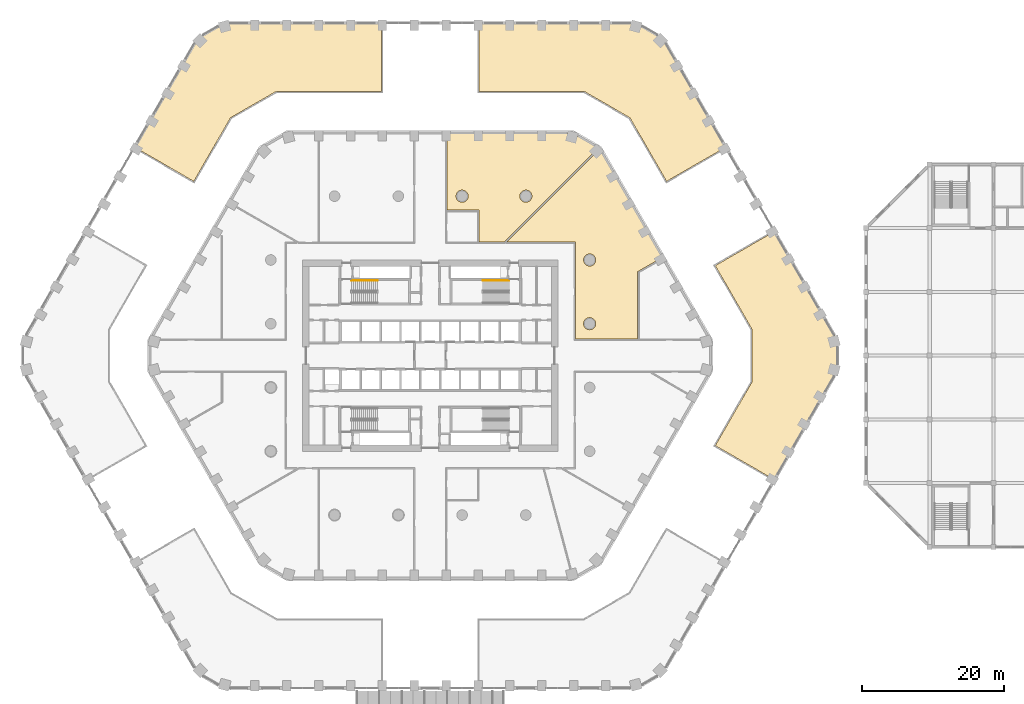
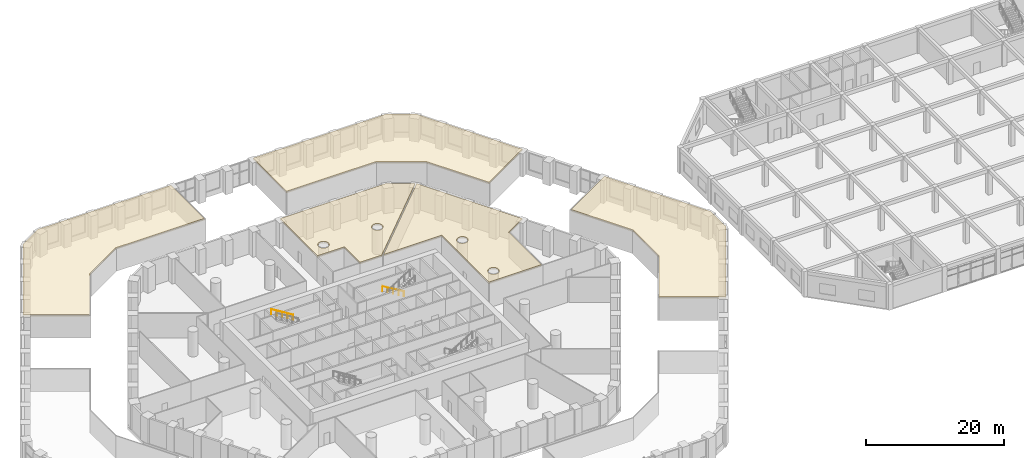
# One storey, part 36 of 42: 5 coverings, 2 railings.
"""IFC4 building model written with IfcOpenShell, lengths in metres."""

from ifc_helpers import new_model, si_unit, direction, frame, origin, origin_2d, place, context, subcontext, project, spatial, polyline, circle, outline, extrude, material, layer, layer_set, type_object, element, save


model = new_model("IFC4")

# Units and contexts
model_context = context("Model", 3, precision=1e-05, world=origin(), true_north=direction((0.0, 1.0)))
body_context = subcontext(model_context, "Body", "Model", "MODEL_VIEW")
ifc_project = project(units=[si_unit("LENGTHUNIT", "METRE"), si_unit("AREAUNIT", "SQUARE_METRE"), si_unit("VOLUMEUNIT", "CUBIC_METRE"), si_unit("PLANEANGLEUNIT", "RADIAN"), si_unit("MASSUNIT", "GRAM", prefix="KILO")], contexts=[model_context])

# Site, building, storey
site_placement = place(None, origin())
site = spatial("IfcSite", under=ifc_project, at=site_placement, CompositionType="ELEMENT")
building_placement = place(site_placement, origin())
building = spatial("IfcBuilding", under=site, at=building_placement, Name="Dhurran Vertical Campus", CompositionType="ELEMENT")
storey_placement = place(building_placement, frame((0.0, 0.0, 6.0)))
storey = spatial("IfcBuildingStorey", under=building, at=storey_placement, Name="L01", CompositionType="ELEMENT", Elevation=6.0)

# Railings
ifc_material_1 = material(Name="Stainless steel handrail", Category="steel")
railing_type = type_object("IfcRailingType", Name="co-RL-HANDRAIL-900", PredefinedType="HANDRAIL", material=ifc_material_1)
for number, where, name in (
    (1, (-7.4599609375, 10.60009765625, 2.571533203125), "L01 ST1 stair handrail 2"),
    (2, (11.10009765625, 10.60009765625, 0.17138671875), "L01 ST2 stair handrail 1"),
):
    element("IfcRailing", number, at=place(storey_placement, frame(where)), inside=storey, type_object=railing_type, Name=name, PredefinedType="HANDRAIL", context=body_context, shape_type="SweptSolid", body=[
        extrude(circle(Radius=0.02392578125, at=origin_2d()), frame((0.0, 0.0, 0.8759765625), z_axis=(-0.852865859571, 0.0, 0.52213008492), x_axis=(0.0, -1.0, 0.0)), (0.0, 0.0, 1.0), 4.26806640625),
        extrude(circle(Radius=0.02099609375, at=origin_2d()), origin(), (0.0, 0.0, 1.0), 0.851806640625),
        extrude(circle(Radius=0.02099609375, at=origin_2d()), frame((-0.91015625, 0.0, 0.55712890625)), (0.0, 0.0, 1.0), 0.851806640625),
        extrude(circle(Radius=0.02099609375, at=origin_2d()), frame((-1.820068359375, 0.0, 1.1142578125)), (0.0, 0.0, 1.0), 0.851806640625),
        extrude(circle(Radius=0.02099609375, at=origin_2d()), frame((-2.72998046875, 0.0, 1.67138671875)), (0.0, 0.0, 1.0), 0.851806640625),
        extrude(circle(Radius=0.02099609375, at=origin_2d()), frame((-3.64013671875, 0.0, 2.228515625)), (0.0, 0.0, 1.0), 0.851806640625),
    ])

# Coverings
ifc_material_2 = material(Name="Mineral fibre ceiling tiles on suspended grid")
ifc_layer = layer(ifc_material_2, 0.35009765625)
ifc_layer_set = layer_set([ifc_layer], Name="Mineral fibre ceiling tiles on suspended grid")
covering_type = type_object("IfcCoveringType", Name="fl-CE-350 suspended ceiling", PredefinedType="CEILING", material=ifc_layer_set)
covering_1_placement = place(storey_placement, frame((0.0, 0.0, 3.699951171875)))
element("IfcCovering", 3, at=covering_1_placement, inside=storey, type_object=covering_type, Name="Ceiling 00-H03", PredefinedType="CEILING", context=body_context, shape_type="SweptSolid", body=[
    extrude(outline(polyline([(48.593017578125, 17.52392578125), (57.47705078125, 2.137939453125), (57.47705078125, -2.137939453125), (48.593017578125, -17.52392578125), (40.238037109375, -12.699951171875), (45.4169921875, -3.72900390625), (45.4169921875, 3.72900390625), (40.238037109375, 12.699951171875), (48.593017578125, 17.52392578125)])), origin(), (0.0, 0.0, 1.0), 0.35009765625),
])
covering_2_placement = place(storey_placement, frame((0.0, 0.0, 3.699951171875)))
element("IfcCovering", 4, at=covering_2_placement, inside=storey, type_object=covering_type, Name="Ceiling 00-H04", PredefinedType="CEILING", context=body_context, shape_type="SweptSolid", body=[
    extrude(outline(polyline([(6.8701171875, 46.947998046875), (29.137939453125, 46.947998046875), (32.839111328125, 44.81103515625), (41.722900390625, 29.424072265625), (33.367919921875, 24.60009765625), (28.18798828125, 33.571044921875), (21.72900390625, 37.300048828125), (6.8701171875, 37.300048828125), (6.8701171875, 46.947998046875)])), origin(), (0.0, 0.0, 1.0), 0.35009765625),
])
covering_3_placement = place(storey_placement, frame((0.0, 0.0, 3.699951171875)))
element("IfcCovering", 5, at=covering_3_placement, inside=storey, type_object=covering_type, Name="Ceiling 00-H05", PredefinedType="CEILING", context=body_context, shape_type="SweptSolid", body=[
    extrude(outline(polyline([(-32.839111328125, 44.81103515625), (-29.137939453125, 46.947998046875), (-6.8701171875, 46.947998046875), (-6.8701171875, 37.300048828125), (-21.72900390625, 37.300048828125), (-28.18798828125, 33.571044921875), (-33.367919921875, 24.60009765625), (-41.722900390625, 29.424072265625), (-32.839111328125, 44.81103515625)])), origin(), (0.0, 0.0, 1.0), 0.35009765625),
])
covering_4_placement = place(storey_placement, frame((0.0, 0.0, 4.050048828125)))
element("IfcCovering", 6, at=covering_4_placement, inside=storey, type_object=covering_type, Name="Ceiling 01-16", PredefinedType="CEILING", context=body_context, shape_type="SweptSolid", body=[
    extrude(outline(polyline([(10.467041015625, 16.02001953125), (6.8701171875, 16.02001953125), (6.8701171875, 20.52001953125), (2.3701171875, 20.52001953125), (2.3701171875, 31.360107421875), (20.137939453125, 31.360107421875), (23.73193359375, 29.283935546875), (10.467041015625, 16.02001953125)]), holes=[polyline([(5.156982421875, 23.0390625), (5.10107421875, 23.10107421875), (5.0390625, 23.156982421875), (4.971923828125, 23.20703125), (4.90087890625, 23.25), (4.824951171875, 23.284912109375), (4.7470703125, 23.31298828125), (4.666015625, 23.333984375), (4.5830078125, 23.345947265625), (4.5, 23.35009765625), (4.4169921875, 23.345947265625), (4.333984375, 23.333984375), (4.2529296875, 23.31298828125), (4.175048828125, 23.284912109375), (4.09912109375, 23.25), (4.028076171875, 23.20703125), (3.9609375, 23.156982421875), (3.89892578125, 23.10107421875), (3.843017578125, 23.0390625), (3.79296875, 22.971923828125), (3.75, 22.90087890625), (3.715087890625, 22.824951171875), (3.68701171875, 22.7470703125), (3.666015625, 22.666015625), (3.654052734375, 22.5830078125), (3.64990234375, 22.5), (3.654052734375, 22.4169921875), (3.666015625, 22.333984375), (3.68701171875, 22.2529296875), (3.715087890625, 22.175048828125), (3.75, 22.09912109375), (3.79296875, 22.028076171875), (3.843017578125, 21.9609375), (3.89892578125, 21.89892578125), (3.9609375, 21.843017578125), (4.028076171875, 21.79296875), (4.09912109375, 21.75), (4.175048828125, 21.715087890625), (4.2529296875, 21.68701171875), (4.333984375, 21.666015625), (4.4169921875, 21.654052734375), (4.5, 21.64990234375), (4.5830078125, 21.654052734375), (4.666015625, 21.666015625), (4.7470703125, 21.68701171875), (4.824951171875, 21.715087890625), (4.90087890625, 21.75), (4.971923828125, 21.79296875), (5.0390625, 21.843017578125), (5.10107421875, 21.89892578125), (5.156982421875, 21.9609375), (5.20703125, 22.028076171875), (5.25, 22.09912109375), (5.284912109375, 22.175048828125), (5.31298828125, 22.2529296875), (5.333984375, 22.333984375), (5.345947265625, 22.4169921875), (5.35009765625, 22.5), (5.345947265625, 22.5830078125), (5.333984375, 22.666015625), (5.31298828125, 22.7470703125), (5.284912109375, 22.824951171875), (5.25, 22.90087890625), (5.20703125, 22.971923828125), (5.156982421875, 23.0390625)]), polyline([(14.25, 22.90087890625), (14.20703125, 22.971923828125), (14.156982421875, 23.0390625), (14.10107421875, 23.10107421875), (14.0390625, 23.156982421875), (13.971923828125, 23.20703125), (13.90087890625, 23.25), (13.824951171875, 23.284912109375), (13.7470703125, 23.31298828125), (13.666015625, 23.333984375), (13.5830078125, 23.345947265625), (13.5, 23.35009765625), (13.4169921875, 23.345947265625), (13.333984375, 23.333984375), (13.2529296875, 23.31298828125), (13.175048828125, 23.284912109375), (13.09912109375, 23.25), (13.028076171875, 23.20703125), (12.9609375, 23.156982421875), (12.89892578125, 23.10107421875), (12.843017578125, 23.0390625), (12.79296875, 22.971923828125), (12.75, 22.90087890625), (12.715087890625, 22.824951171875), (12.68701171875, 22.7470703125), (12.666015625, 22.666015625), (12.654052734375, 22.5830078125), (12.64990234375, 22.5), (12.654052734375, 22.4169921875), (12.666015625, 22.333984375), (12.68701171875, 22.2529296875), (12.715087890625, 22.175048828125), (12.75, 22.09912109375), (12.79296875, 22.028076171875), (12.843017578125, 21.9609375), (12.89892578125, 21.89892578125), (12.9609375, 21.843017578125), (13.028076171875, 21.79296875), (13.09912109375, 21.75), (13.175048828125, 21.715087890625), (13.2529296875, 21.68701171875), (13.333984375, 21.666015625), (13.4169921875, 21.654052734375), (13.5, 21.64990234375), (13.5830078125, 21.654052734375), (13.666015625, 21.666015625), (13.7470703125, 21.68701171875), (13.824951171875, 21.715087890625), (13.90087890625, 21.75), (13.971923828125, 21.79296875), (14.0390625, 21.843017578125), (14.10107421875, 21.89892578125), (14.156982421875, 21.9609375), (14.20703125, 22.028076171875), (14.25, 22.09912109375), (14.284912109375, 22.175048828125), (14.31298828125, 22.2529296875), (14.333984375, 22.333984375), (14.345947265625, 22.4169921875), (14.35009765625, 22.5), (14.345947265625, 22.5830078125), (14.333984375, 22.666015625), (14.31298828125, 22.7470703125), (14.284912109375, 22.824951171875), (14.25, 22.90087890625)])]), origin(), (0.0, 0.0, 1.0), 0.349853515625),
])
covering_5_placement = place(storey_placement, frame((0.0, 0.0, 4.050048828125)))
element("IfcCovering", 7, at=covering_5_placement, inside=storey, type_object=covering_type, Name="Ceiling 01-18", PredefinedType="CEILING", context=body_context, shape_type="SweptSolid", body=[
    extrude(outline(polyline([(23.90087890625, 29.114990234375), (32.722900390625, 13.8349609375), (29.280029296875, 11.846923828125), (29.280029296875, 2.3701171875), (20.52001953125, 2.3701171875), (20.52001953125, 16.02001953125), (10.806884765625, 16.02001953125), (23.90087890625, 29.114990234375)]), holes=[polyline([(23.333984375, 4.666015625), (23.31298828125, 4.7470703125), (23.284912109375, 4.824951171875), (23.25, 4.90087890625), (23.20703125, 4.971923828125), (23.156982421875, 5.0390625), (23.10107421875, 5.10107421875), (23.0390625, 5.156982421875), (22.971923828125, 5.20703125), (22.90087890625, 5.25), (22.824951171875, 5.284912109375), (22.7470703125, 5.31298828125), (22.666015625, 5.333984375), (22.5830078125, 5.345947265625), (22.5, 5.35009765625), (22.4169921875, 5.345947265625), (22.333984375, 5.333984375), (22.2529296875, 5.31298828125), (22.175048828125, 5.284912109375), (22.09912109375, 5.25), (22.028076171875, 5.20703125), (21.9609375, 5.156982421875), (21.89892578125, 5.10107421875), (21.843017578125, 5.0390625), (21.79296875, 4.971923828125), (21.75, 4.90087890625), (21.715087890625, 4.824951171875), (21.68701171875, 4.7470703125), (21.666015625, 4.666015625), (21.654052734375, 4.5830078125), (21.64990234375, 4.5), (21.654052734375, 4.4169921875), (21.666015625, 4.333984375), (21.68701171875, 4.2529296875), (21.715087890625, 4.175048828125), (21.75, 4.09912109375), (21.79296875, 4.028076171875), (21.843017578125, 3.9609375), (21.89892578125, 3.89892578125), (21.9609375, 3.843017578125), (22.028076171875, 3.79296875), (22.09912109375, 3.75), (22.175048828125, 3.715087890625), (22.2529296875, 3.68701171875), (22.333984375, 3.666015625), (22.4169921875, 3.654052734375), (22.5, 3.64990234375), (22.5830078125, 3.654052734375), (22.666015625, 3.666015625), (22.7470703125, 3.68701171875), (22.824951171875, 3.715087890625), (22.90087890625, 3.75), (22.971923828125, 3.79296875), (23.0390625, 3.843017578125), (23.10107421875, 3.89892578125), (23.156982421875, 3.9609375), (23.20703125, 4.028076171875), (23.25, 4.09912109375), (23.284912109375, 4.175048828125), (23.31298828125, 4.2529296875), (23.333984375, 4.333984375), (23.345947265625, 4.4169921875), (23.35009765625, 4.5), (23.345947265625, 4.5830078125), (23.333984375, 4.666015625)]), polyline([(23.345947265625, 13.5830078125), (23.333984375, 13.666015625), (23.31298828125, 13.7470703125), (23.284912109375, 13.824951171875), (23.25, 13.90087890625), (23.20703125, 13.971923828125), (23.156982421875, 14.0390625), (23.10107421875, 14.10107421875), (23.0390625, 14.156982421875), (22.971923828125, 14.20703125), (22.90087890625, 14.25), (22.824951171875, 14.284912109375), (22.7470703125, 14.31298828125), (22.666015625, 14.333984375), (22.5830078125, 14.345947265625), (22.5, 14.35009765625), (22.4169921875, 14.345947265625), (22.333984375, 14.333984375), (22.2529296875, 14.31298828125), (22.175048828125, 14.284912109375), (22.09912109375, 14.25), (22.028076171875, 14.20703125), (21.9609375, 14.156982421875), (21.89892578125, 14.10107421875), (21.843017578125, 14.0390625), (21.79296875, 13.971923828125), (21.75, 13.90087890625), (21.715087890625, 13.824951171875), (21.68701171875, 13.7470703125), (21.666015625, 13.666015625), (21.654052734375, 13.5830078125), (21.64990234375, 13.5), (21.654052734375, 13.4169921875), (21.666015625, 13.333984375), (21.68701171875, 13.2529296875), (21.715087890625, 13.175048828125), (21.75, 13.09912109375), (21.79296875, 13.028076171875), (21.843017578125, 12.9609375), (21.89892578125, 12.89892578125), (21.9609375, 12.843017578125), (22.028076171875, 12.79296875), (22.09912109375, 12.75), (22.175048828125, 12.715087890625), (22.2529296875, 12.68701171875), (22.333984375, 12.666015625), (22.4169921875, 12.654052734375), (22.5, 12.64990234375), (22.5830078125, 12.654052734375), (22.666015625, 12.666015625), (22.7470703125, 12.68701171875), (22.824951171875, 12.715087890625), (22.90087890625, 12.75), (22.971923828125, 12.79296875), (23.0390625, 12.843017578125), (23.10107421875, 12.89892578125), (23.156982421875, 12.9609375), (23.20703125, 13.028076171875), (23.25, 13.09912109375), (23.284912109375, 13.175048828125), (23.31298828125, 13.2529296875), (23.333984375, 13.333984375), (23.345947265625, 13.4169921875), (23.35009765625, 13.5), (23.345947265625, 13.5830078125)])]), origin(), (0.0, 0.0, 1.0), 0.349853515625),
])

save(model, "model.ifc")
